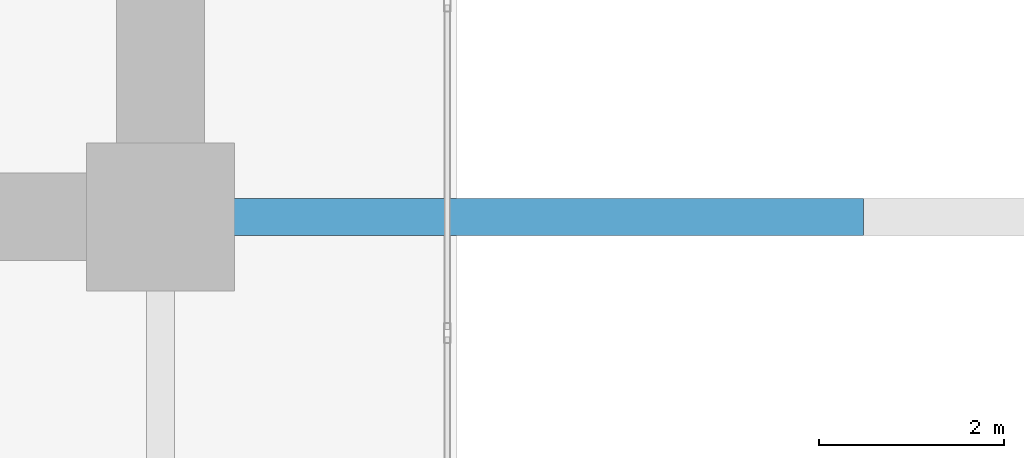
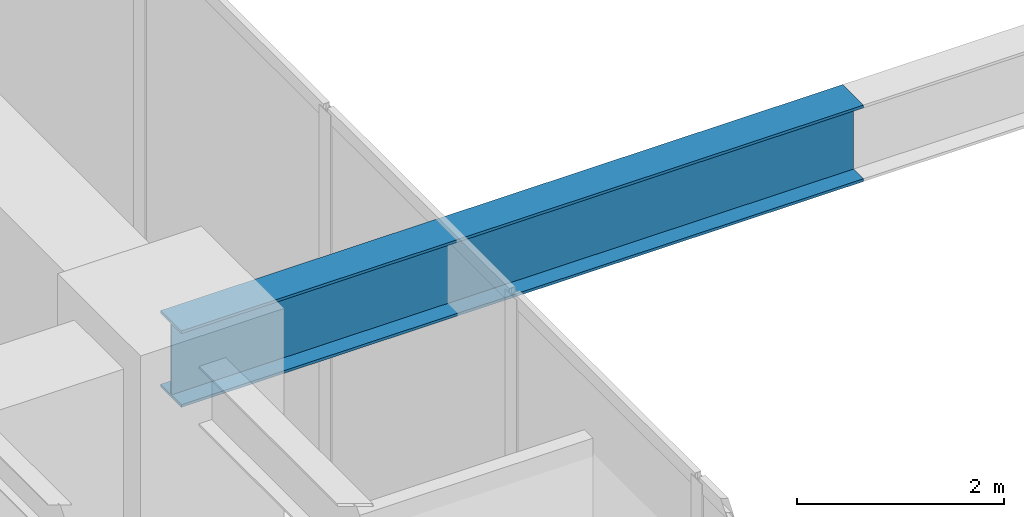
# One storey, part 5 of 39: 1 beam.
"""IFC4 building model written with IfcOpenShell, lengths in metres."""

from ifc_helpers import new_model, si_unit, direction, frame, origin, origin_2d, place, context, subcontext, project, spatial, i_section, extrude, source, transform, mapped, material, material_profile, profile_set, type_object, type_shapes, element, save


model = new_model("IFC4")

# Units and contexts
model_context = context("Model", 3, precision=1e-05, world=origin(), true_north=direction((0.0, 1.0)))
body_context = subcontext(model_context, "Body", "Model", "MODEL_VIEW")
ifc_project = project(units=[si_unit("LENGTHUNIT", "METRE"), si_unit("AREAUNIT", "SQUARE_METRE"), si_unit("VOLUMEUNIT", "CUBIC_METRE"), si_unit("PLANEANGLEUNIT", "RADIAN"), si_unit("MASSUNIT", "GRAM", prefix="KILO")], contexts=[model_context])

# Site, building, storey
site_placement = place(None, origin())
site = spatial("IfcSite", under=ifc_project, at=site_placement, CompositionType="ELEMENT")
building_placement = place(site_placement, origin())
building = spatial("IfcBuilding", under=site, at=building_placement, Name="Haelvirn Gate Laboratories", CompositionType="ELEMENT")
storey_placement = place(building_placement, frame((0.0, 0.0, 15.0)))
storey = spatial("IfcBuildingStorey", under=building, at=storey_placement, Name="L04", CompositionType="ELEMENT", Elevation=15.0)

# Beam
ifc_material = material(Name="Steel SM420", Category="steel")
ifc_material_profile = material_profile(ifc_material, i_section(OverallWidth=0.39990234375, OverallDepth=0.89990234375, WebThickness=0.01904296875, FlangeThickness=0.031982421875, at=origin_2d()), Name="H-900x400x19x32")
ifc_profile_set = profile_set([ifc_material_profile], Name="Steel SM420")
beam_type = type_object("IfcBeamType", Name="BM-TG-900", PredefinedType="BEAM", material=ifc_profile_set)
shared_shape = source(origin(), body_context, "Body", "SweptSolid", [
    extrude(i_section(OverallWidth=0.39990234375, OverallDepth=0.89990234375, WebThickness=0.01904296875, FlangeThickness=0.031982421875, at=origin_2d()), origin(), (0.0, 0.0, 1.0), 7.60009765625),
])
type_shapes(beam_type, [shared_shape])
beam_placement = place(storey_placement, frame((22.199951171875, 14.800048828125, 4.0), z_axis=(1.0, 0.0, 0.0), x_axis=(0.0, 1.0, 0.0)))
element("IfcBeam", 1, at=beam_placement, inside=storey, type_object=beam_type, Name="L05 Portal Transfer Truss Bottom Chord Y14.8-1", PredefinedType="BEAM", context=body_context, shape_type="MappedRepresentation", body=[
    mapped(shared_shape, transform((0.0, 0.0, 0.0), scale=1.0)),
])

save(model, "model.ifc")
